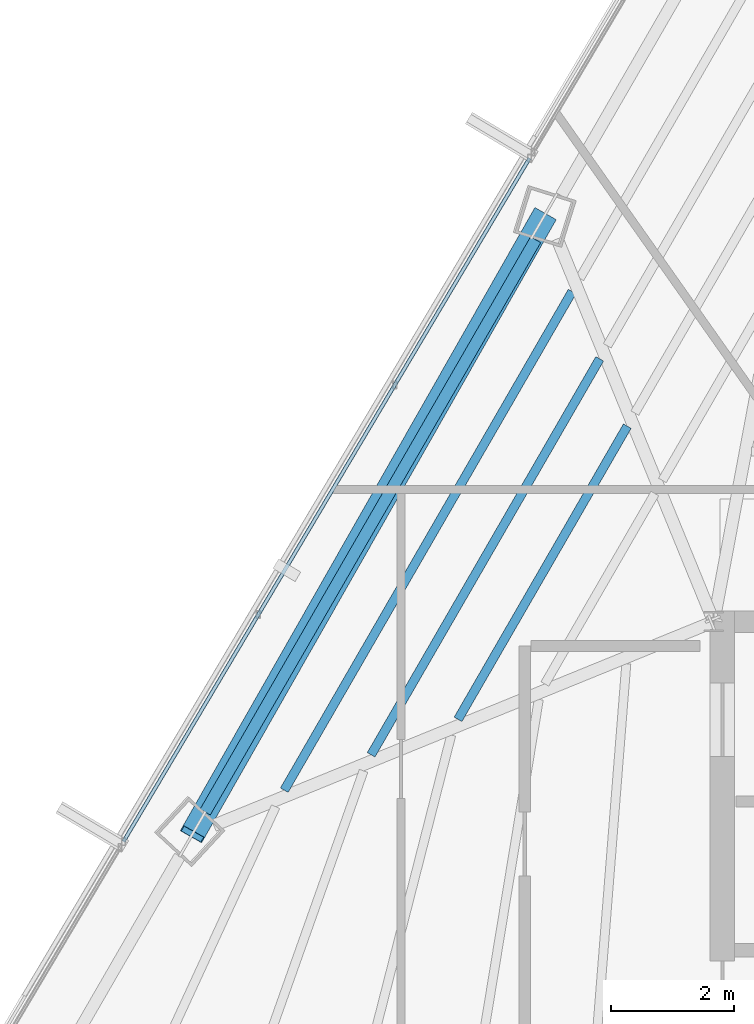
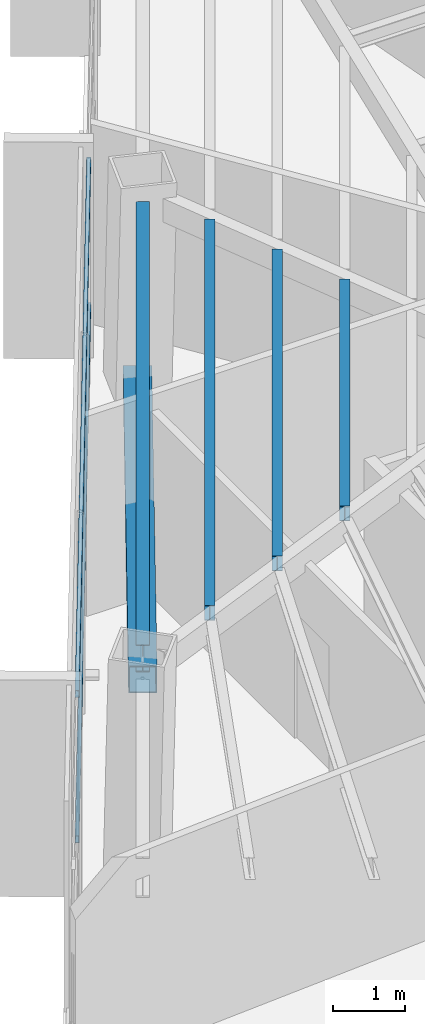
# One storey, part 19 of 47: 4 beams, 3 members, 1 element without a shape of its own.
"""IFC4 building model written with IfcOpenShell, lengths in metres."""

from ifc_helpers import new_model, si_unit, direction, frame, origin, origin_2d, place, context, subcontext, project, spatial, hollow_rectangle, i_section, extrude, source, transform, mapped, material, material_profile, profile_set, type_object, type_shapes, element, aggregate, save


model = new_model("IFC4")

# Units and contexts
model_context = context("Model", 3, precision=1e-05, world=origin(), true_north=direction((0.0, 1.0)))
body_context = subcontext(model_context, "Body", "Model", "MODEL_VIEW")
ifc_project = project(units=[si_unit("LENGTHUNIT", "METRE"), si_unit("AREAUNIT", "SQUARE_METRE"), si_unit("VOLUMEUNIT", "CUBIC_METRE"), si_unit("PLANEANGLEUNIT", "RADIAN"), si_unit("MASSUNIT", "GRAM", prefix="KILO")], contexts=[model_context])

# Site, building, storey
site_placement = place(None, origin())
site = spatial("IfcSite", under=ifc_project, at=site_placement, CompositionType="ELEMENT")
building_placement = place(site_placement, origin())
building = spatial("IfcBuilding", under=site, at=building_placement, Name="Caelisora Broadcast Tower", CompositionType="ELEMENT")
storey_placement = place(building_placement, frame((0.0, 0.0, 229.85009765625)))
storey = spatial("IfcBuildingStorey", under=building, at=storey_placement, Name="L60", CompositionType="ELEMENT", Elevation=229.85009765625)

# Beams
ifc_material_1 = material(Name="Steel Grade 350 (AS/NZS 3679.1)", Category="steel")
ifc_material_profile_1 = material_profile(ifc_material_1, i_section(OverallWidth=0.19091796875, OverallDepth=0.46044921875, WebThickness=0.010009765625, FlangeThickness=0.01611328125, at=origin_2d()), Name="Steel Grade 350 (AS/NZS 3679.1)")
ifc_profile_set_1 = profile_set([ifc_material_profile_1], Name="Steel Grade 350 (AS/NZS 3679.1)")
beam_type_1 = type_object("IfcBeamType", Name="PG06", PredefinedType="BEAM", material=ifc_profile_set_1)
shared_shape_1 = source(origin(), body_context, "Body", "SweptSolid", [
    extrude(i_section(OverallWidth=0.19091796875, OverallDepth=0.46044921875, WebThickness=0.010009765625, FlangeThickness=0.01611328125, at=origin_2d()), origin(), (0.0, 0.0, 1.0), 10.771728515625),
])
type_shapes(beam_type_1, [shared_shape_1])
beam_1_placement = place(storey_placement, frame((27.59716796875, 36.22509765625, 3.169677734375), z_axis=(-0.499990586292, -0.866030838723, 0.0), x_axis=(0.866030838723, -0.499990586292, 0.0)))
element("IfcBeam", 1, at=beam_1_placement, inside=storey, type_object=beam_type_1, Name="L60 beam PG06", PredefinedType="BEAM", context=body_context, shape_type="MappedRepresentation", body=[
    mapped(shared_shape_1, transform((0.0, 0.0, 0.0), scale=1.0)),
])
ifc_material_profile_2 = material_profile(ifc_material_1, i_section(OverallWidth=0.14599609375, OverallDepth=0.256103515625, WebThickness=0.00634765625, FlangeThickness=0.010986328125, at=origin_2d()), Name="Steel Grade 350 (AS/NZS 3679.1)")
ifc_profile_set_2 = profile_set([ifc_material_profile_2], Name="Steel Grade 350 (AS/NZS 3679.1)")
beam_type_2 = type_object("IfcBeamType", Name="SB04", PredefinedType="JOIST", material=ifc_profile_set_2)
shared_shape_2 = source(origin(), body_context, "Body", "SweptSolid", [
    extrude(i_section(OverallWidth=0.14599609375, OverallDepth=0.256103515625, WebThickness=0.00634765625, FlangeThickness=0.010986328125, at=origin_2d()), origin(), (0.0, 0.0, 1.0), 5.518310546875),
])
beam_2_placement = place(storey_placement, frame((29.0908203125, 33.185791015625, 3.271728515625), z_axis=(-0.499979045085, -0.866037501772, 0.0), x_axis=(0.866037501772, -0.499979045085, 0.0)))
element("IfcBeam", 2, at=beam_2_placement, inside=storey, type_object=beam_type_2, Name="L60 beam SB04", PredefinedType="JOIST", context=body_context, shape_type="MappedRepresentation", body=[
    mapped(shared_shape_2, transform((0.0, 0.0, 0.0), scale=1.0)),
])
shared_shape_3 = source(origin(), body_context, "Body", "SweptSolid", [
    extrude(i_section(OverallWidth=0.14599609375, OverallDepth=0.256103515625, WebThickness=0.00634765625, FlangeThickness=0.010986328125, at=origin_2d()), origin(), (0.0, 0.0, 1.0), 7.451904296875),
])
beam_3_placement = place(storey_placement, frame((28.6416015625, 34.283203125, 3.271728515625), z_axis=(-0.499983364532, -0.866035008063, 0.0), x_axis=(0.866035008063, -0.499983364532, 0.0)))
element("IfcBeam", 3, at=beam_3_placement, inside=storey, type_object=beam_type_2, Name="L60 beam SB04", PredefinedType="JOIST", context=body_context, shape_type="MappedRepresentation", body=[
    mapped(shared_shape_3, transform((0.0, 0.0, 0.0), scale=1.0)),
])
shared_shape_4 = source(origin(), body_context, "Body", "SweptSolid", [
    extrude(i_section(OverallWidth=0.14599609375, OverallDepth=0.256103515625, WebThickness=0.00634765625, FlangeThickness=0.010986328125, at=origin_2d()), origin(), (0.0, 0.0, 1.0), 9.38623046875),
])
type_shapes(beam_type_2, [shared_shape_2, shared_shape_3, shared_shape_4])
beam_4_placement = place(storey_placement, frame((28.192626953125, 35.380859375, 3.271728515625), z_axis=(-0.50000239533, -0.866024020835, 0.0), x_axis=(0.866024020835, -0.50000239533, 0.0)))
element("IfcBeam", 4, at=beam_4_placement, inside=storey, type_object=beam_type_2, Name="L60 beam SB04", PredefinedType="JOIST", context=body_context, shape_type="MappedRepresentation", body=[
    mapped(shared_shape_4, transform((0.0, 0.0, 0.0), scale=1.0)),
])

# Member
ifc_material_2 = material(Name="Steel Grade 450 (AS/NZS 1163 C450L0)", Category="steel")
ifc_material_profile_3 = material_profile(ifc_material_2, hollow_rectangle(XDim=0.39990234375, YDim=0.39990234375, WallThickness=0.01611328125, at=origin_2d()), Name="Steel Grade 450 (AS/NZS 1163 C450L0)")
ifc_profile_set_3 = profile_set([ifc_material_profile_3], Name="Steel Grade 450 (AS/NZS 1163 C450L0)")
member_type_1 = type_object("IfcMemberType", Name="BR04", PredefinedType="BRACE", material=ifc_profile_set_3)
shared_shape_5 = source(origin(), body_context, "Body", "SweptSolid", [
    extrude(hollow_rectangle(XDim=0.39990234375, YDim=0.39990234375, WallThickness=0.01611328125, at=origin_2d()), origin(), (0.0, 0.0, 1.0), 11.969482421875),
])
type_shapes(member_type_1, [shared_shape_5])
member_1_placement = place(storey_placement, frame((27.734375, 36.607421875, 0.099853515625), z_axis=(-0.478795216965, -0.84138968625, 0.250636262506), x_axis=(0.869131197027, -0.494581603331, 0.0)))
element("IfcMember", 5, at=member_1_placement, inside=storey, type_object=member_type_1, Name="L60 perimeter brace BR04", PredefinedType="BRACE", context=body_context, shape_type="MappedRepresentation", body=[
    mapped(shared_shape_5, transform((0.0, 0.0, 0.0), scale=1.0)),
])

# Curtain wall, members
ifc_material_3 = material(Name="Unitised Aluminium Insulated Shadow-Box Spandrel Curtain Wall", Category="aluminium")
curtain_wall_type = type_object("IfcCurtainWallType", Name="CW-SP3", PredefinedType="NOTDEFINED", material=ifc_material_3)
curtain_wall_placement = place(storey_placement, origin())
curtain_wall = element("IfcCurtainWall", 6, at=curtain_wall_placement, inside=storey, type_object=curtain_wall_type, Name="L60 curtain wall CW-SP3", PredefinedType="NOTDEFINED")
ifc_material_4 = material(Name="Aluminium 6063-T6 Anodised Terracotta Bronze", Category="aluminium")
ifc_material_profile_4 = material_profile(ifc_material_4, hollow_rectangle(XDim=0.06005859375, YDim=0.1201171875, WallThickness=0.0029296875, at=origin_2d()), Name="Aluminium 6063-T6 Anodised Terracotta Bronze")
ifc_profile_set_4 = profile_set([ifc_material_profile_4], Name="Aluminium 6063-T6 Anodised Terracotta Bronze")
member_type_2 = type_object("IfcMemberType", Name="CWT-03", PredefinedType="USERDEFINED", material=ifc_profile_set_4)
shared_shape_6 = source(origin(), body_context, "Body", "SweptSolid", [
    extrude(hollow_rectangle(XDim=0.06005859375, YDim=0.1201171875, WallThickness=0.0029296875, at=origin_2d()), origin(), (0.0, 0.0, 1.0), 12.959716796875),
])
type_shapes(member_type_2, [shared_shape_6])
member_2_placement = place(storey_placement, frame((20.87841796875, 26.41455078125, 0.849853515625), z_axis=(0.510842531567, 0.859674303409, 0.0), x_axis=(-0.859674303409, 0.510842531567, 0.0)))
member_2 = element("IfcMember", 7, at=member_2_placement, type_object=member_type_2, Name="L60-CW-B10 transom #1", ObjectType="TRANSOM", PredefinedType="USERDEFINED", context=body_context, shape_type="MappedRepresentation", body=[
    mapped(shared_shape_6, transform((0.0, 0.0, 0.0), scale=1.0)),
])
member_3_placement = place(storey_placement, frame((20.87841796875, 26.41455078125, 3.31982421875), z_axis=(0.510842531567, 0.859674303409, 0.0), x_axis=(-0.859674303409, 0.510842531567, 0.0)))
member_3 = element("IfcMember", 8, at=member_3_placement, type_object=member_type_2, Name="L60-CW-B10 transom #2", ObjectType="TRANSOM", PredefinedType="USERDEFINED", context=body_context, shape_type="MappedRepresentation", body=[
    mapped(shared_shape_6, transform((0.0, 0.0, 0.0), scale=1.0)),
])
aggregate(curtain_wall, [member_2, member_3])

save(model, "model.ifc")
